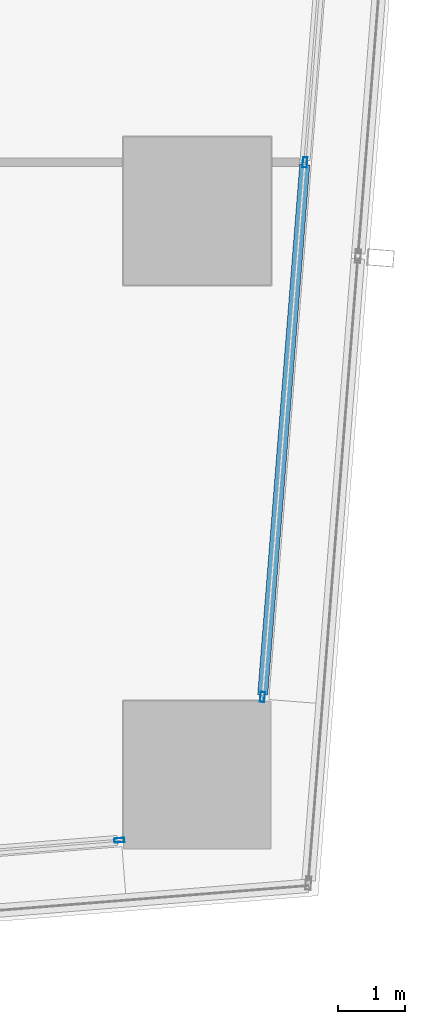
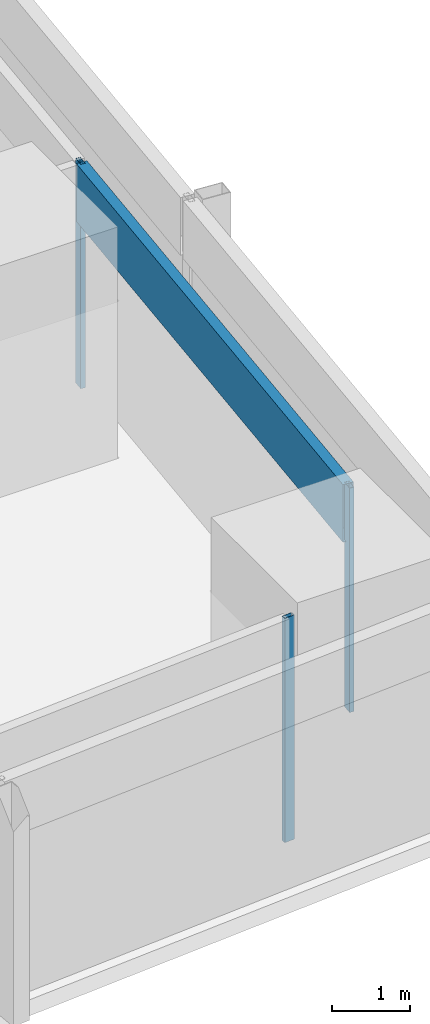
# One storey, part 12 of 44: 4 members, 2 elements without a shape of their own.
"""IFC4 building model written with IfcOpenShell, lengths in metres."""

import ifcopenshell
import ifcopenshell.guid

model = None  # the IFC model being written
_history = None  # IfcOwnerHistory: only IFC2X3 demands one
_inside = {}  # id of a spatial element -> (the spatial element, [elements in it])
_under = {}  # id of a project, library or spatial element -> (it, [spatial elements below it])
_declared = {}  # id of a project -> (the project, [libraries it declares])
_typed = {}  # id of a type object -> (the type object, [elements of that type])
_made_of = {}  # id of a material, layer set ... -> (it, [elements and type objects made of it])


def new_model(schema):
    """Start an empty IFC model of exactly this schema.

    Asked for "IFC4X3", IfcOpenShell would pick the latest addendum, in which some entities
    have other attributes; the version numbers below select the first issue.
    IFC2X3 requires an IfcOwnerHistory on every rooted entity: one is made here for all.
    """
    global model, _history
    if schema == "IFC4X3":
        model = ifcopenshell.file(schema_version=(4, 3, 0, 0))
    else:
        model = ifcopenshell.file(schema=schema)
    _inside.clear()
    _under.clear()
    _declared.clear()
    _typed.clear()
    _made_of.clear()
    _history = None
    if model.schema == "IFC2X3":
        org = make("IfcOrganization", Name="unknown")
        user = make(
            "IfcPersonAndOrganization",
            ThePerson=make("IfcPerson", FamilyName="unknown"),
            TheOrganization=org,
        )
        app = make(
            "IfcApplication",
            ApplicationDeveloper=org,
            Version="unknown",
            ApplicationFullName="unknown",
            ApplicationIdentifier="unknown",
        )
        _history = make(
            "IfcOwnerHistory",
            OwningUser=user,
            OwningApplication=app,
            ChangeAction="ADDED",
            CreationDate=0,
        )
    return model


def make(cls, **values):
    """One entity of the class cls with the attributes given. An attribute that is None is left unset."""
    return model.create_entity(
        cls, **{name: value for name, value in values.items() if value is not None}
    )


def rooted(cls, **values):
    """An entity with a GlobalId (a new one), such as an element, a storey or a relation."""
    return make(cls, GlobalId=ifcopenshell.guid.new(), OwnerHistory=_history, **values)


def si_unit(unit_type, name, prefix=None):
    """IfcSIUnit, for example si_unit("LENGTHUNIT", "METRE", prefix="MILLI")."""
    return make("IfcSIUnit", UnitType=unit_type, Prefix=prefix, Name=name)


def assignment(units):
    """IfcUnitAssignment: the units of a project."""
    return None if units is None else make("IfcUnitAssignment", Units=units)


def point(xyz):
    """IfcCartesianPoint."""
    return None if xyz is None else make("IfcCartesianPoint", Coordinates=xyz)


def direction(xyz):
    """IfcDirection."""
    return None if xyz is None else make("IfcDirection", DirectionRatios=xyz)


def frame(location, z_axis=None, x_axis=None):
    """IfcAxis2Placement3D, a coordinate frame: its origin and axes. An axis left out is left unset."""
    return make(
        "IfcAxis2Placement3D",
        Location=point(location),
        Axis=direction(z_axis),
        RefDirection=direction(x_axis),
    )


def frame_2d(location, x_axis=None):
    """IfcAxis2Placement2D, a coordinate frame in the plane: its origin and x axis."""
    return make(
        "IfcAxis2Placement2D", Location=point(location), RefDirection=direction(x_axis)
    )


def origin():
    """The frame at (0, 0, 0) with its axes left unset."""
    return frame((0.0, 0.0, 0.0))


def origin_2d():
    """The frame at (0, 0) in the plane with its x axis left unset."""
    return frame_2d((0.0, 0.0))


def place(relative_to, where):
    """IfcLocalPlacement: puts the frame where relative to a parent placement (None: the world)."""
    return make(
        "IfcLocalPlacement", PlacementRelTo=relative_to, RelativePlacement=where
    )


def context(
    kind, dimensions, precision=None, world=None, true_north=None, identifier=None
):
    """IfcGeometricRepresentationContext, for example the 3D "Model" context."""
    return make(
        "IfcGeometricRepresentationContext",
        ContextIdentifier=identifier,
        ContextType=kind,
        CoordinateSpaceDimension=dimensions,
        Precision=precision,
        WorldCoordinateSystem=world,
        TrueNorth=true_north,
    )


def subcontext(parent, identifier, kind, view, scale=None):
    """IfcGeometricRepresentationSubContext, for example "Body" below "Model"."""
    return make(
        "IfcGeometricRepresentationSubContext",
        ContextIdentifier=identifier,
        ContextType=kind,
        ParentContext=parent,
        TargetScale=scale,
        TargetView=view,
    )


def project(units=None, contexts=None):
    """IfcProject with its units and contexts."""
    return rooted(
        "IfcProject",
        Name="project",
        RepresentationContexts=contexts,
        UnitsInContext=assignment(units),
    )


def spatial(cls, under=None, at=None, **own):
    """A site, building, storey or space (cls), placed at a placement, below another one or the project."""
    s = rooted(cls, ObjectPlacement=at, **own)
    if under is not None:
        _under.setdefault(under.id(), (under, []))[1].append(s)
    return s


def profile(cls, at=None, kind="AREA", **sizes):
    """A parametric profile (cls). Its sizes go by their IFC names, for example OverallWidth=200.0."""
    return make(cls, ProfileType=kind, Position=at, **sizes)


def hollow_rectangle(**sizes):
    """IfcRectangleHollowProfileDef."""
    return profile("IfcRectangleHollowProfileDef", **sizes)


def extrude(swept, where, along, depth):
    """IfcExtrudedAreaSolid: the profile swept, set in the frame where, extruded along a direction by depth."""
    return make(
        "IfcExtrudedAreaSolid",
        SweptArea=swept,
        Position=where,
        ExtrudedDirection=direction(along),
        Depth=depth,
    )


def shape(context_of_items, identifier, shape_type, items):
    """IfcShapeRepresentation: the items that make up one representation, for example the "Body"."""
    return make(
        "IfcShapeRepresentation",
        ContextOfItems=context_of_items,
        RepresentationIdentifier=identifier,
        RepresentationType=shape_type,
        Items=items,
    )


def material(Name=None, Category=None):
    """IfcMaterial."""
    return make("IfcMaterial", Name=Name, Category=Category)


def material_profile(
    of_material, cross_section, Name=None, Category=None, Priority=None
):
    """IfcMaterialProfile: a cross section and its material."""
    return make(
        "IfcMaterialProfile",
        Name=Name,
        Material=of_material,
        Profile=cross_section,
        Priority=Priority,
        Category=Category,
    )


def profile_set(profiles, Name=None, composite=None):
    """IfcMaterialProfileSet."""
    return make(
        "IfcMaterialProfileSet",
        Name=Name,
        MaterialProfiles=profiles,
        CompositeProfile=composite,
    )


def made_of(thing, what):
    """Note that an element or type object is made of a material, layer set ...; save() writes the relation."""
    if what is not None:
        _made_of.setdefault(what.id(), (what, []))[1].append(thing)
    return thing


def type_object(cls, material=None, **own):
    """A type object (cls), such as IfcWallType, which elements share."""
    return made_of(rooted(cls, **own), material)


def element(
    cls,
    number,
    at=None,
    inside=None,
    cuts=None,
    type_object=None,
    material=None,
    context=None,
    identifier="Body",
    shape_type=None,
    held_by="IfcProductDefinitionShape",
    body=None,
    shapes=None,
    **own,
):
    """One element of the class cls, such as IfcWall. Its Tag is "e" and its number.

    at: its placement. inside: the storey or other place that contains it. cuts: it is an
    opening in that element (IfcRelVoidsElement). A single representation is given by context,
    identifier, shape_type and body (its items); several are given by shapes. held_by: the class
    of the entity that holds the representations. save() writes the other relations.
    """
    e = rooted(cls, Tag="e%d" % number, ObjectPlacement=at, **own)
    if body is not None:
        shapes = [shape(context, identifier, shape_type, body)]
    if shapes is not None:
        e.Representation = make(held_by, Representations=shapes)
    if inside is not None:
        _inside.setdefault(inside.id(), (inside, []))[1].append(e)
    if cuts is not None:
        rooted(
            "IfcRelVoidsElement", RelatingBuildingElement=cuts, RelatedOpeningElement=e
        )
    if type_object is not None:
        _typed.setdefault(type_object.id(), (type_object, []))[1].append(e)
    return made_of(e, material)


def aggregate(whole, parts):
    """IfcRelAggregates: a whole, such as a stair, and the parts it consists of."""
    return rooted("IfcRelAggregates", RelatingObject=whole, RelatedObjects=parts)


def save(model, path):
    """Write the relations noted so far, then the file.

    IfcRelAggregates (storeys below a building ...), IfcRelContainedInSpatialStructure (elements
    in a storey), IfcRelDefinesByType, IfcRelAssociatesMaterial and IfcRelDeclares: one each for
    every whole, place, type object, material and project.
    """
    for whole, parts in _under.values():
        aggregate(whole, parts)
    for where, things in _inside.values():
        rooted(
            "IfcRelContainedInSpatialStructure",
            RelatedElements=things,
            RelatingStructure=where,
        )
    for kind, things in _typed.values():
        rooted("IfcRelDefinesByType", RelatedObjects=things, RelatingType=kind)
    for what, things in _made_of.values():
        rooted("IfcRelAssociatesMaterial", RelatedObjects=things, RelatingMaterial=what)
    for by, libraries in _declared.values():
        rooted("IfcRelDeclares", RelatingContext=by, RelatedDefinitions=libraries)
    model.write(path)


model = new_model("IFC4")

# Units and contexts
model_context = context("Model", 3, precision=1e-05, world=origin(), true_north=direction((0.0, 1.0)))
body_context = subcontext(model_context, "Body", "Model", "MODEL_VIEW")
ifc_project = project(units=[si_unit("LENGTHUNIT", "METRE"), si_unit("AREAUNIT", "SQUARE_METRE"), si_unit("VOLUMEUNIT", "CUBIC_METRE"), si_unit("PLANEANGLEUNIT", "RADIAN"), si_unit("MASSUNIT", "GRAM", prefix="KILO")], contexts=[model_context])

# Site, building, storey
site_placement = place(None, origin())
site = spatial("IfcSite", under=ifc_project, at=site_placement, CompositionType="ELEMENT")
building_placement = place(site_placement, origin())
building = spatial("IfcBuilding", under=site, at=building_placement, Name="Rekha Terrace Tower", CompositionType="ELEMENT")
storey_placement = place(building_placement, frame((0.0, 0.0, 62.89990234375)))
storey = spatial("IfcBuildingStorey", under=building, at=storey_placement, Name="L15", CompositionType="ELEMENT", Elevation=62.89990234375)

# Curtain wall, member
ifc_material_1 = material(Name="Aluminium framing", Category="aluminium")
curtain_wall_type = type_object("IfcCurtainWallType", Name="CW1 double skin inner glazing", PredefinedType="USERDEFINED", material=ifc_material_1)
curtain_wall_1_placement = place(storey_placement, origin())
curtain_wall_1 = element("IfcCurtainWall", 1, at=curtain_wall_1_placement, inside=storey, type_object=curtain_wall_type, Name="CW1 double skin inner glazing", ObjectType="DOUBLE SKIN INNER GLAZING", PredefinedType="USERDEFINED")
ifc_material_2 = material(Name="Aluminium mullion section", Category="aluminium")
ifc_material_profile_1 = material_profile(ifc_material_2, hollow_rectangle(XDim=0.06494140625, YDim=0.14990234375, WallThickness=0.00390625, at=origin_2d()), Name="AL RHS 65x150")
ifc_profile_set_1 = profile_set([ifc_material_profile_1], Name="Aluminium mullion section")
member_type_1 = type_object("IfcMemberType", Name="CW1 mullion RHS 65 x 150", PredefinedType="MULLION", material=ifc_profile_set_1)
member_1_placement = place(storey_placement, frame((66.0400390625, 7.42626953125, 0.0), z_axis=(0.0, 0.0, 1.0), x_axis=(-0.079872204468, 0.996805111821, 0.0)))
member_1 = element("IfcMember", 2, at=member_1_placement, type_object=member_type_1, Name="CW1 mullion 3", PredefinedType="MULLION", context=body_context, shape_type="SweptSolid", body=[
    extrude(hollow_rectangle(XDim=0.06494140625, YDim=0.14990234375, WallThickness=0.00390625, at=origin_2d()), origin(), (0.0, 0.0, 1.0), 3.5),
])
aggregate(curtain_wall_1, [member_1])

# Curtain wall, members
curtain_wall_2_placement = place(storey_placement, origin())
curtain_wall_2 = element("IfcCurtainWall", 3, at=curtain_wall_2_placement, inside=storey, type_object=curtain_wall_type, Name="CW1 double skin inner glazing", ObjectType="DOUBLE SKIN INNER GLAZING", PredefinedType="USERDEFINED")
member_2_placement = place(storey_placement, frame((68.171630859375, 9.559814453125, 0.0), z_axis=(0.0, 0.0, 1.0), x_axis=(-0.996865392576, 0.079116301, 0.0)))
member_2 = element("IfcMember", 4, at=member_2_placement, type_object=member_type_1, Name="CW1 mullion 1", PredefinedType="MULLION", context=body_context, shape_type="SweptSolid", body=[
    extrude(hollow_rectangle(XDim=0.06494140625, YDim=0.14990234375, WallThickness=0.00390625, at=origin_2d()), origin(), (0.0, 0.0, 1.0), 3.5),
])
member_3_placement = place(storey_placement, frame((68.8037109375, 17.5234375, 0.0), z_axis=(0.0, 0.0, 1.0), x_axis=(-0.996865392576, 0.079116301, 0.0)))
member_3 = element("IfcMember", 5, at=member_3_placement, type_object=member_type_1, Name="CW1 mullion 2", PredefinedType="MULLION", context=body_context, shape_type="SweptSolid", body=[
    extrude(hollow_rectangle(XDim=0.06494140625, YDim=0.14990234375, WallThickness=0.00390625, at=origin_2d()), origin(), (0.0, 0.0, 1.0), 3.5),
])
ifc_material_3 = material(Name="Insulated aluminium spandrel box", Category="aluminium")
ifc_material_profile_2 = material_profile(ifc_material_3, hollow_rectangle(XDim=0.14990234375, YDim=0.89990234375, WallThickness=0.0029296875, at=origin_2d()), Name="AL SPANDREL BOX 150x900")
ifc_profile_set_2 = profile_set([ifc_material_profile_2], Name="Insulated aluminium spandrel box")
member_type_2 = type_object("IfcMemberType", Name="CW1 spandrel transom 150 x 900", PredefinedType="USERDEFINED", material=ifc_profile_set_2)
member_4_placement = place(storey_placement, frame((68.174072265625, 9.59228515625, 3.050048828125), z_axis=(0.079125535375, 0.996864659646, 0.0), x_axis=(-0.996864659646, 0.079125535375, 0.0)))
member_4 = element("IfcMember", 6, at=member_4_placement, type_object=member_type_2, Name="CW1 spandrel transom 1", ObjectType="TRANSOM", PredefinedType="USERDEFINED", context=body_context, shape_type="SweptSolid", body=[
    extrude(hollow_rectangle(XDim=0.14990234375, YDim=0.89990234375, WallThickness=0.0029296875, at=origin_2d()), origin(), (0.0, 0.0, 1.0), 7.923583984375),
])
aggregate(curtain_wall_2, [member_2, member_3, member_4])

save(model, "model.ifc")
